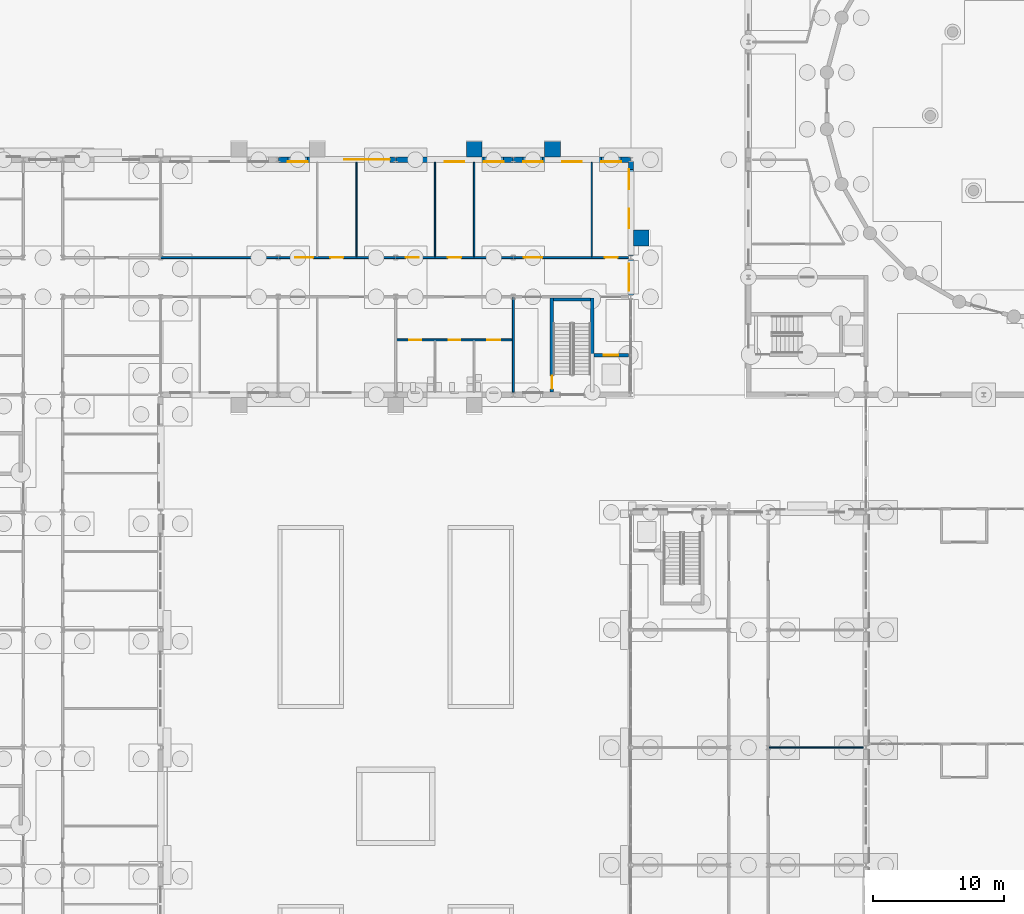
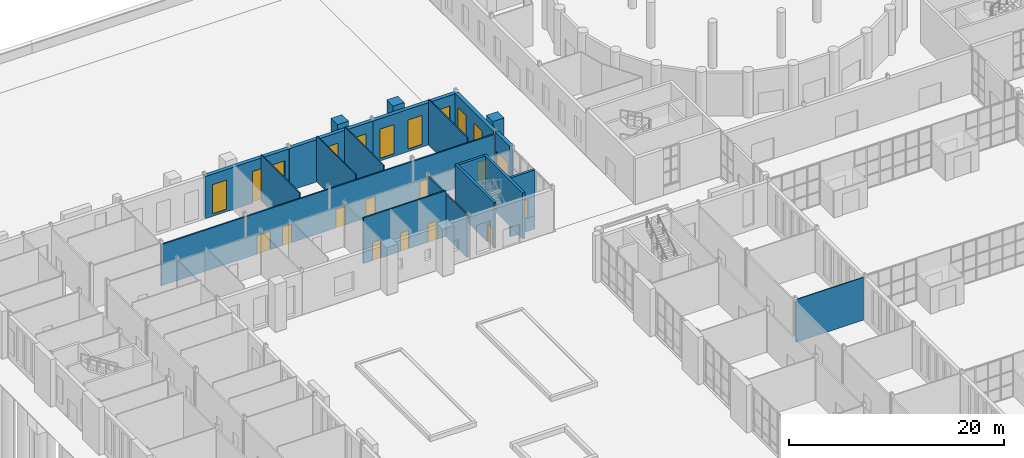
# One storey, part 95 of 168: 21 walls, 12 doors, 9 windows, 21 openings.
"""IFC4 building model written with IfcOpenShell, lengths in metres."""

from ifc_helpers import new_model, si_unit, direction, frame, frame_2d, origin, place, context, subcontext, project, spatial, rectangle, extrude, material, layer, layer_set, type_object, element, fill, save


model = new_model("IFC4")

# Units and contexts
model_context = context("Model", 3, precision=1e-05, world=origin(), true_north=direction((0.0, 1.0)))
body_context = subcontext(model_context, "Body", "Model", "MODEL_VIEW")
ifc_project = project(units=[si_unit("LENGTHUNIT", "METRE"), si_unit("AREAUNIT", "SQUARE_METRE"), si_unit("VOLUMEUNIT", "CUBIC_METRE"), si_unit("PLANEANGLEUNIT", "RADIAN"), si_unit("MASSUNIT", "GRAM", prefix="KILO")], contexts=[model_context])

# Site, building, storey
site_placement = place(None, origin())
site = spatial("IfcSite", under=ifc_project, at=site_placement, CompositionType="ELEMENT")
building_placement = place(site_placement, origin())
building = spatial("IfcBuilding", under=site, at=building_placement, Name="Golden Quay Civic Hall", CompositionType="ELEMENT")
storey_placement = place(building_placement, origin())
storey = spatial("IfcBuildingStorey", under=building, at=storey_placement, Name="L00", CompositionType="ELEMENT", Elevation=0.0)

# Wall, openings, door, window
ifc_material_1 = material(Name="Brick, dark clay facing", Category="masonry")
ifc_layer_1 = layer(ifc_material_1, 0.39990234375)
ifc_layer_set_1 = layer_set([ifc_layer_1], Name="Brick external wall 400")
wall_type_1 = type_object("IfcWallType", Name="Brick external wall 400", PredefinedType="STANDARD", material=ifc_layer_set_1)
wall_1_placement = place(storey_placement, frame((27.010498046875, 81.0, 0.0), z_axis=(0.0, 0.0, 1.0), x_axis=(1.0, 0.0, 0.0)))
wall_1 = element("IfcWall", 1, at=wall_1_placement, inside=storey, type_object=wall_type_1, Name="Brick external wall 400 L00 3", PredefinedType="STANDARD", context=body_context, shape_type="SweptSolid", body=[
    extrude(rectangle(XDim=8.97900390625, YDim=0.39990234375, at=frame_2d((4.489501953125, 0.0))), origin(), (0.0, 0.0, 1.0), 4.800048828125),
])
opening_1_placement = place(wall_1_placement, frame((5.03955078125, 0.0, 0.0)))
opening_1 = element("IfcOpeningElement", 2, at=opening_1_placement, cuts=wall_1, Name="Opening L00-D005", PredefinedType="OPENING", context=body_context, shape_type="SweptSolid", body=[
    extrude(rectangle(XDim=3.5, YDim=3.60009765625, at=frame_2d((1.75, 1.800048828125))), frame((0.0, 0.2099609375, 0.0), z_axis=(0.0, -1.0, 0.0), x_axis=(1.0, 0.0, 0.0)), (0.0, 0.0, 1.0), 0.419921875),
])
opening_2_placement = place(wall_1_placement, frame((0.739501953125, 0.0, 0.300048828125)))
opening_2 = element("IfcOpeningElement", 3, at=opening_2_placement, cuts=wall_1, Name="Opening WN4", PredefinedType="OPENING", context=body_context, shape_type="SweptSolid", body=[
    extrude(rectangle(XDim=1.5, YDim=3.300048828125, at=frame_2d((0.75, 1.64990234375))), frame((0.0, 0.2099609375, 0.0), z_axis=(0.0, -1.0, 0.0), x_axis=(1.0, 0.0, 0.0)), (0.0, 0.0, 1.0), 0.419921875),
])
ifc_material_2 = material(Name="Steel roller shutter, powder coated", Category="steel")
door_type_1 = type_object("IfcDoorType", Name="Roller shutter loading door 3500 x 3600", OperationType="ROLLINGUP", PredefinedType="DOOR", material=ifc_material_2)
door_1_placement = place(opening_1_placement, origin())
door_1 = element("IfcDoor", 4, at=door_1_placement, inside=storey, type_object=door_type_1, Name="Door L00-D005", OperationType="ROLLINGUP", OverallHeight=3.60009765625, OverallWidth=3.5, PredefinedType="DOOR", context=body_context, shape_type="SweptSolid", body=[
    extrude(rectangle(XDim=3.5, YDim=3.60009765625, at=frame_2d((1.75, 1.800048828125))), frame((0.0, 0.02490234375, 0.0), z_axis=(0.0, -1.0, 0.0), x_axis=(1.0, 0.0, 0.0)), (0.0, 0.0, 1.0), 0.050048828125),
])
fill(opening_1, door_1)
ifc_material_3 = material(Name="Aluminium frame, double glazed", Category="aluminium")
window_type_1 = type_object("IfcWindowType", Name="Tall ground-floor window 1500 x 3300", PartitioningType="SINGLE_PANEL", PredefinedType="WINDOW", material=ifc_material_3)
window_1_placement = place(opening_2_placement, origin())
window_1 = element("IfcWindow", 5, at=window_1_placement, inside=storey, type_object=window_type_1, Name="Tall ground-floor window 1500 x 3300 L00 7", OverallHeight=3.300048828125, OverallWidth=1.5, PartitioningType="SINGLE_PANEL", PredefinedType="WINDOW", context=body_context, shape_type="SweptSolid", body=[
    extrude(rectangle(XDim=1.5, YDim=3.300048828125, at=frame_2d((0.75, 1.64990234375))), frame((0.0, -0.119873046875, 0.0), z_axis=(0.0, -1.0, 0.0), x_axis=(1.0, 0.0, 0.0)), (0.0, 0.0, 1.0), 0.06005859375),
])
fill(opening_2, window_1)

# Wall, openings, windows
wall_2_placement = place(storey_placement, frame((36.010498046875, 81.0, 0.0), z_axis=(0.0, 0.0, 1.0), x_axis=(1.0, 0.0, 0.0)))
wall_2 = element("IfcWall", 6, at=wall_2_placement, inside=storey, type_object=wall_type_1, Name="Brick external wall 400 L00 4", PredefinedType="STANDARD", context=body_context, shape_type="SweptSolid", body=[
    extrude(rectangle(XDim=8.97900390625, YDim=0.39990234375, at=frame_2d((4.489501953125, 0.0))), origin(), (0.0, 0.0, 1.0), 4.800048828125),
])
opening_3_placement = place(wall_2_placement, frame((3.739501953125, 0.0, 0.300048828125)))
opening_3 = element("IfcOpeningElement", 7, at=opening_3_placement, cuts=wall_2, Name="Opening WN4", PredefinedType="OPENING", context=body_context, shape_type="SweptSolid", body=[
    extrude(rectangle(XDim=1.5, YDim=3.300048828125, at=frame_2d((0.75, 1.64990234375))), frame((0.0, 0.2099609375, 0.0), z_axis=(0.0, -1.0, 0.0), x_axis=(1.0, 0.0, 0.0)), (0.0, 0.0, 1.0), 0.419921875),
])
opening_4_placement = place(wall_2_placement, frame((6.739501953125, 0.0, 0.300048828125)))
opening_4 = element("IfcOpeningElement", 8, at=opening_4_placement, cuts=wall_2, Name="Opening WN4", PredefinedType="OPENING", context=body_context, shape_type="SweptSolid", body=[
    extrude(rectangle(XDim=1.5, YDim=3.300048828125, at=frame_2d((0.75, 1.64990234375))), frame((0.0, 0.2099609375, 0.0), z_axis=(0.0, -1.0, 0.0), x_axis=(1.0, 0.0, 0.0)), (0.0, 0.0, 1.0), 0.419921875),
])
window_2_placement = place(opening_3_placement, origin())
window_2 = element("IfcWindow", 9, at=window_2_placement, inside=storey, type_object=window_type_1, Name="Tall ground-floor window 1500 x 3300 L00 8", OverallHeight=3.300048828125, OverallWidth=1.5, PartitioningType="SINGLE_PANEL", PredefinedType="WINDOW", context=body_context, shape_type="SweptSolid", body=[
    extrude(rectangle(XDim=1.5, YDim=3.300048828125, at=frame_2d((0.75, 1.64990234375))), frame((0.0, -0.119873046875, 0.0), z_axis=(0.0, -1.0, 0.0), x_axis=(1.0, 0.0, 0.0)), (0.0, 0.0, 1.0), 0.06005859375),
])
fill(opening_3, window_2)
window_3_placement = place(opening_4_placement, origin())
window_3 = element("IfcWindow", 10, at=window_3_placement, inside=storey, type_object=window_type_1, Name="Tall ground-floor window 1500 x 3300 L00 9", OverallHeight=3.300048828125, OverallWidth=1.5, PartitioningType="SINGLE_PANEL", PredefinedType="WINDOW", context=body_context, shape_type="SweptSolid", body=[
    extrude(rectangle(XDim=1.5, YDim=3.300048828125, at=frame_2d((0.75, 1.64990234375))), frame((0.0, -0.119873046875, 0.0), z_axis=(0.0, -1.0, 0.0), x_axis=(1.0, 0.0, 0.0)), (0.0, 0.0, 1.0), 0.06005859375),
])
fill(opening_4, window_3)

wall_3_placement = place(storey_placement, frame((45.010498046875, 81.0, 0.0), z_axis=(0.0, 0.0, 1.0), x_axis=(1.0, 0.0, 0.0)))
wall_3 = element("IfcWall", 11, at=wall_3_placement, inside=storey, type_object=wall_type_1, Name="Brick external wall 400 L00 5", PredefinedType="STANDARD", context=body_context, shape_type="SweptSolid", body=[
    extrude(rectangle(XDim=8.97900390625, YDim=0.39990234375, at=frame_2d((4.489501953125, 0.0))), origin(), (0.0, 0.0, 1.0), 4.800048828125),
])
opening_5_placement = place(wall_3_placement, frame((0.739501953125, 0.0, 0.300048828125)))
opening_5 = element("IfcOpeningElement", 12, at=opening_5_placement, cuts=wall_3, Name="Opening WN4", PredefinedType="OPENING", context=body_context, shape_type="SweptSolid", body=[
    extrude(rectangle(XDim=1.5, YDim=3.300048828125, at=frame_2d((0.75, 1.64990234375))), frame((0.0, 0.2099609375, 0.0), z_axis=(0.0, -1.0, 0.0), x_axis=(1.0, 0.0, 0.0)), (0.0, 0.0, 1.0), 0.419921875),
])
opening_6_placement = place(wall_3_placement, frame((3.739501953125, 0.0, 0.300048828125)))
opening_6 = element("IfcOpeningElement", 13, at=opening_6_placement, cuts=wall_3, Name="Opening WN4", PredefinedType="OPENING", context=body_context, shape_type="SweptSolid", body=[
    extrude(rectangle(XDim=1.5, YDim=3.300048828125, at=frame_2d((0.75, 1.64990234375))), frame((0.0, 0.2099609375, 0.0), z_axis=(0.0, -1.0, 0.0), x_axis=(1.0, 0.0, 0.0)), (0.0, 0.0, 1.0), 0.419921875),
])
opening_7_placement = place(wall_3_placement, frame((6.739501953125, 0.0, 0.300048828125)))
opening_7 = element("IfcOpeningElement", 14, at=opening_7_placement, cuts=wall_3, Name="Opening WN4", PredefinedType="OPENING", context=body_context, shape_type="SweptSolid", body=[
    extrude(rectangle(XDim=1.5, YDim=3.300048828125, at=frame_2d((0.75, 1.64990234375))), frame((0.0, 0.2099609375, 0.0), z_axis=(0.0, -1.0, 0.0), x_axis=(1.0, 0.0, 0.0)), (0.0, 0.0, 1.0), 0.419921875),
])
window_4_placement = place(opening_5_placement, origin())
window_4 = element("IfcWindow", 15, at=window_4_placement, inside=storey, type_object=window_type_1, Name="Tall ground-floor window 1500 x 3300 L00 10", OverallHeight=3.300048828125, OverallWidth=1.5, PartitioningType="SINGLE_PANEL", PredefinedType="WINDOW", context=body_context, shape_type="SweptSolid", body=[
    extrude(rectangle(XDim=1.5, YDim=3.300048828125, at=frame_2d((0.75, 1.64990234375))), frame((0.0, -0.119873046875, 0.0), z_axis=(0.0, -1.0, 0.0), x_axis=(1.0, 0.0, 0.0)), (0.0, 0.0, 1.0), 0.06005859375),
])
fill(opening_5, window_4)
window_5_placement = place(opening_6_placement, origin())
window_5 = element("IfcWindow", 16, at=window_5_placement, inside=storey, type_object=window_type_1, Name="Tall ground-floor window 1500 x 3300 L00 11", OverallHeight=3.300048828125, OverallWidth=1.5, PartitioningType="SINGLE_PANEL", PredefinedType="WINDOW", context=body_context, shape_type="SweptSolid", body=[
    extrude(rectangle(XDim=1.5, YDim=3.300048828125, at=frame_2d((0.75, 1.64990234375))), frame((0.0, -0.119873046875, 0.0), z_axis=(0.0, -1.0, 0.0), x_axis=(1.0, 0.0, 0.0)), (0.0, 0.0, 1.0), 0.06005859375),
])
fill(opening_6, window_5)
window_6_placement = place(opening_7_placement, origin())
window_6 = element("IfcWindow", 17, at=window_6_placement, inside=storey, type_object=window_type_1, Name="Tall ground-floor window 1500 x 3300 L00 12", OverallHeight=3.300048828125, OverallWidth=1.5, PartitioningType="SINGLE_PANEL", PredefinedType="WINDOW", context=body_context, shape_type="SweptSolid", body=[
    extrude(rectangle(XDim=1.5, YDim=3.300048828125, at=frame_2d((0.75, 1.64990234375))), frame((0.0, -0.119873046875, 0.0), z_axis=(0.0, -1.0, 0.0), x_axis=(1.0, 0.0, 0.0)), (0.0, 0.0, 1.0), 0.06005859375),
])
fill(opening_7, window_6)

# Wall, opening, window
wall_4_placement = place(storey_placement, frame((54.0, 73.35009765625, 0.0), z_axis=(0.0, 0.0, 1.0), x_axis=(0.0, -1.0, 0.0)))
wall_4 = element("IfcWall", 18, at=wall_4_placement, inside=storey, type_object=wall_type_1, Name="Brick external wall 400 L00 6", PredefinedType="STANDARD", context=body_context, shape_type="SweptSolid", body=[
    extrude(rectangle(XDim=2.7001953125, YDim=0.39990234375, at=frame_2d((1.35009765625, 0.0))), origin(), (0.0, 0.0, 1.0), 5.0),
])
opening_8_placement = place(wall_4_placement, frame((0.300048828125, 0.0, 0.89990234375)))
opening_8 = element("IfcOpeningElement", 19, at=opening_8_placement, cuts=wall_4, Name="Opening WN2", PredefinedType="OPENING", context=body_context, shape_type="SweptSolid", body=[
    extrude(rectangle(XDim=2.10009765625, YDim=2.10009765625, at=frame_2d((1.050048828125, 1.050048828125))), frame((0.0, 0.2099609375, 0.0), z_axis=(0.0, -1.0, 0.0), x_axis=(1.0, 0.0, 0.0)), (0.0, 0.0, 1.0), 0.419921875),
])
ifc_material_4 = material(Name="Aluminium frame, double glazed", Category="aluminium")
window_type_2 = type_object("IfcWindowType", Name="Corridor end window 2100 x 2100", PartitioningType="SINGLE_PANEL", PredefinedType="WINDOW", material=ifc_material_4)
window_7_placement = place(opening_8_placement, origin())
window_7 = element("IfcWindow", 20, at=window_7_placement, inside=storey, type_object=window_type_2, Name="Corridor end window 2100 x 2100 L00 4", OverallHeight=2.10009765625, OverallWidth=2.10009765625, PartitioningType="SINGLE_PANEL", PredefinedType="WINDOW", context=body_context, shape_type="SweptSolid", body=[
    extrude(rectangle(XDim=2.10009765625, YDim=2.10009765625, at=frame_2d((1.050048828125, 1.050048828125))), frame((0.0, -0.119873046875, 0.0), z_axis=(0.0, -1.0, 0.0), x_axis=(1.0, 0.0, 0.0)), (0.0, 0.0, 1.0), 0.06005859375),
])
fill(opening_8, window_7)

# Wall, openings, windows
wall_5_placement = place(storey_placement, frame((54.0, 80.85009765625, 0.0), z_axis=(0.0, 0.0, 1.0), x_axis=(0.0, -1.0, 0.0)))
wall_5 = element("IfcWall", 21, at=wall_5_placement, inside=storey, type_object=wall_type_1, Name="Brick external wall 400 L00 7", PredefinedType="STANDARD", context=body_context, shape_type="SweptSolid", body=[
    extrude(rectangle(XDim=7.2001953125, YDim=0.39990234375, at=frame_2d((3.60009765625, 0.0))), origin(), (0.0, 0.0, 1.0), 4.8701171875),
])
opening_9_placement = place(wall_5_placement, frame((3.60009765625, 0.0, 0.300048828125)))
opening_9 = element("IfcOpeningElement", 22, at=opening_9_placement, cuts=wall_5, Name="Opening WN4", PredefinedType="OPENING", context=body_context, shape_type="SweptSolid", body=[
    extrude(rectangle(XDim=1.5, YDim=3.300048828125, at=frame_2d((0.75, 1.64990234375))), frame((0.0, 0.2099609375, 0.0), z_axis=(0.0, -1.0, 0.0), x_axis=(1.0, 0.0, 0.0)), (0.0, 0.0, 1.0), 0.419921875),
])
opening_10_placement = place(wall_5_placement, frame((0.60009765625, 0.0, 0.300048828125)))
opening_10 = element("IfcOpeningElement", 23, at=opening_10_placement, cuts=wall_5, Name="Opening WN4", PredefinedType="OPENING", context=body_context, shape_type="SweptSolid", body=[
    extrude(rectangle(XDim=1.5, YDim=3.300048828125, at=frame_2d((0.75, 1.64990234375))), frame((0.0, 0.2099609375, 0.0), z_axis=(0.0, -1.0, 0.0), x_axis=(1.0, 0.0, 0.0)), (0.0, 0.0, 1.0), 0.419921875),
])
window_8_placement = place(opening_9_placement, origin())
window_8 = element("IfcWindow", 24, at=window_8_placement, inside=storey, type_object=window_type_1, Name="Tall ground-floor window 1500 x 3300 L00 13", OverallHeight=3.300048828125, OverallWidth=1.5, PartitioningType="SINGLE_PANEL", PredefinedType="WINDOW", context=body_context, shape_type="SweptSolid", body=[
    extrude(rectangle(XDim=1.5, YDim=3.300048828125, at=frame_2d((0.75, 1.64990234375))), frame((0.0, -0.119873046875, 0.0), z_axis=(0.0, -1.0, 0.0), x_axis=(1.0, 0.0, 0.0)), (0.0, 0.0, 1.0), 0.06005859375),
])
fill(opening_9, window_8)
window_9_placement = place(opening_10_placement, origin())
window_9 = element("IfcWindow", 25, at=window_9_placement, inside=storey, type_object=window_type_1, Name="Tall ground-floor window 1500 x 3300 L00 14", OverallHeight=3.300048828125, OverallWidth=1.5, PartitioningType="SINGLE_PANEL", PredefinedType="WINDOW", context=body_context, shape_type="SweptSolid", body=[
    extrude(rectangle(XDim=1.5, YDim=3.300048828125, at=frame_2d((0.75, 1.64990234375))), frame((0.0, -0.119873046875, 0.0), z_axis=(0.0, -1.0, 0.0), x_axis=(1.0, 0.0, 0.0)), (0.0, 0.0, 1.0), 0.06005859375),
])
fill(opening_10, window_9)

# Walls
ifc_material_5 = material(Name="Brick, dark clay facing", Category="masonry")
ifc_layer_2 = layer(ifc_material_5, 1.199951171875)
ifc_layer_set_2 = layer_set([ifc_layer_2], Name="Brick pilaster 1200 x 1200")
wall_type_2 = type_object("IfcWallType", Name="Brick pilaster 1200 x 1200", PredefinedType="STANDARD", material=ifc_layer_set_2)
for number, where, z_axis, x_axis, name in (
    (26, (41.39990234375, 81.800048828125, 0.0), (0.0, 0.0, 1.0), (1.0, 0.0, 0.0), "Brick pilaster 1200 x 1200 L00 3"),
    (27, (47.39990234375, 81.800048828125, 0.0), (0.0, 0.0, 1.0), (1.0, 0.0, 0.0), "Brick pilaster 1200 x 1200 L00 4"),
    (28, (54.800048828125, 74.39990234375, 0.0), (0.0, 0.0, 1.0), (0.0, 1.0, 0.0), "Brick pilaster 1200 x 1200 L00 5"),
):
    element("IfcWall", number, at=place(storey_placement, frame(where, z_axis=z_axis, x_axis=x_axis)), inside=storey, type_object=wall_type_2, Name=name, PredefinedType="STANDARD", context=body_context, shape_type="SweptSolid", body=[
        extrude(rectangle(XDim=1.2001953125, YDim=1.199951171875, at=frame_2d((0.60009765625, 0.0))), origin(), (0.0, 0.0, 1.0), 5.39990234375),
    ])

# Wall, opening, door
ifc_material_6 = material(Name="Concrete C40/50", Category="concrete")
ifc_layer_3 = layer(ifc_material_6, 0.25)
ifc_layer_set_3 = layer_set([ifc_layer_3], Name="Concrete core wall 250, Concrete C40/50")
wall_type_3 = type_object("IfcWallType", Name="Concrete core wall 250", PredefinedType="SHEAR", material=ifc_layer_set_3)
wall_6_placement = place(storey_placement, frame((47.949951171875, 63.199951171875, 0.0), z_axis=(0.0, 0.0, 1.0), x_axis=(0.0, 1.0, 0.0)))
wall_6 = element("IfcWall", 29, at=wall_6_placement, inside=storey, type_object=wall_type_3, Name="Core wall NW-E-W1", PredefinedType="SHEAR", context=body_context, shape_type="SweptSolid", body=[
    extrude(rectangle(XDim=7.22509765625, YDim=0.25, at=frame_2d((3.612548828125, 0.0))), origin(), (0.0, 0.0, 1.0), 5.199951171875),
])
opening_11_placement = place(wall_6_placement, frame((0.25, 0.0, 0.0)))
opening_11 = element("IfcOpeningElement", 30, at=opening_11_placement, cuts=wall_6, Name="Opening L00-D105", PredefinedType="OPENING", context=body_context, shape_type="SweptSolid", body=[
    extrude(rectangle(XDim=1.0, YDim=2.10009765625, at=frame_2d((0.5, 1.050048828125))), frame((0.0, 0.135009765625, 0.0), z_axis=(0.0, -1.0, 0.0), x_axis=(1.0, 0.0, 0.0)), (0.0, 0.0, 1.0), 0.27001953125),
])
ifc_material_7 = material(Name="Steel", Category="steel")
door_type_2 = type_object("IfcDoorType", Name="Steel fire door FD60 1000 x 2100", OperationType="SINGLE_SWING_LEFT", PredefinedType="DOOR", material=ifc_material_7)
door_2_placement = place(opening_11_placement, frame((1.0, 0.0, 0.0), z_axis=(0.0, 0.0, 1.0), x_axis=(-1.0, 0.0, 0.0)))
door_2 = element("IfcDoor", 31, at=door_2_placement, inside=storey, type_object=door_type_2, Name="Door L00-D105", OperationType="SINGLE_SWING_RIGHT", OverallHeight=2.10009765625, OverallWidth=1.0, PredefinedType="DOOR", context=body_context, shape_type="SweptSolid", body=[
    extrude(rectangle(XDim=1.0, YDim=2.10009765625, at=frame_2d((0.5, 1.050048828125))), frame((0.0, 0.025146484375, 0.0), z_axis=(0.0, -1.0, 0.0), x_axis=(1.0, 0.0, 0.0)), (0.0, 0.0, 1.0), 0.050048828125),
])
fill(opening_11, door_2)

# Walls
wall_7_placement = place(storey_placement, frame((51.050048828125, 63.199951171875, 0.0), z_axis=(0.0, 0.0, 1.0), x_axis=(0.0, 1.0, 0.0)))
element("IfcWall", 32, at=wall_7_placement, inside=storey, type_object=wall_type_3, Name="Core wall NW-E-W2", PredefinedType="SHEAR", context=body_context, shape_type="SweptSolid", body=[
    extrude(rectangle(XDim=7.22509765625, YDim=0.25, at=frame_2d((3.612548828125, 0.0))), origin(), (0.0, 0.0, 1.0), 5.199951171875),
])
wall_8_placement = place(storey_placement, frame((48.074951171875, 70.300048828125, 0.0), z_axis=(0.0, 0.0, 1.0), x_axis=(1.0, 0.0, 0.0)))
element("IfcWall", 33, at=wall_8_placement, inside=storey, type_object=wall_type_3, Name="Core wall NW-E-W3", PredefinedType="SHEAR", context=body_context, shape_type="SweptSolid", body=[
    extrude(rectangle(XDim=2.85009765625, YDim=0.25, at=frame_2d((1.425048828125, 0.0))), origin(), (0.0, 0.0, 1.0), 5.199951171875),
])

# Wall, opening, door
wall_9_placement = place(storey_placement, frame((51.175048828125, 66.02490234375, 0.0), z_axis=(0.0, 0.0, 1.0), x_axis=(1.0, 0.0, 0.0)))
wall_9 = element("IfcWall", 34, at=wall_9_placement, inside=storey, type_object=wall_type_3, Name="Core wall NW-E-W4", PredefinedType="SHEAR", context=body_context, shape_type="SweptSolid", body=[
    extrude(rectangle(XDim=2.625, YDim=0.25, at=frame_2d((1.3125, 0.0))), origin(), (0.0, 0.0, 1.0), 5.199951171875),
])
opening_12_placement = place(wall_9_placement, frame((0.762451171875, 0.0, 0.0)))
opening_12 = element("IfcOpeningElement", 35, at=opening_12_placement, cuts=wall_9, Name="Opening L00-D108", PredefinedType="OPENING", context=body_context, shape_type="SweptSolid", body=[
    extrude(rectangle(XDim=1.10009765625, YDim=2.10009765625, at=frame_2d((0.550048828125, 1.050048828125))), frame((0.0, 0.135009765625, 0.0), z_axis=(0.0, -1.0, 0.0), x_axis=(1.0, 0.0, 0.0)), (0.0, 0.0, 1.0), 0.27001953125),
])
ifc_material_8 = material(Name="Steel", Category="steel")
door_type_3 = type_object("IfcDoorType", Name="Lift landing door 1100 x 2100", OperationType="SLIDING_TO_LEFT", PredefinedType="DOOR", material=ifc_material_8)
door_3_placement = place(opening_12_placement, origin())
door_3 = element("IfcDoor", 36, at=door_3_placement, inside=storey, type_object=door_type_3, Name="Lift landing door L00-D108 NW-E", OperationType="SLIDING_TO_LEFT", OverallHeight=2.10009765625, OverallWidth=1.10009765625, PredefinedType="DOOR", context=body_context, shape_type="SweptSolid", body=[
    extrude(rectangle(XDim=1.10009765625, YDim=2.10009765625, at=frame_2d((0.550048828125, 1.050048828125))), frame((0.0, 0.02490234375, 0.0), z_axis=(0.0, -1.0, 0.0), x_axis=(1.0, 0.0, 0.0)), (0.0, 0.0, 1.0), 0.050048828125),
])
fill(opening_12, door_3)

# Walls
wall_10_placement = place(storey_placement, frame((51.175048828125, 66.02490234375, -1.5), z_axis=(0.0, 0.0, 1.0), x_axis=(1.0, 0.0, 0.0)))
element("IfcWall", 37, at=wall_10_placement, inside=storey, type_object=wall_type_3, Name="Lift pit wall P2", PredefinedType="SHEAR", context=body_context, shape_type="SweptSolid", body=[
    extrude(rectangle(XDim=2.625, YDim=0.25, at=frame_2d((1.3125, 0.0))), origin(), (0.0, 0.0, 1.0), 1.5),
])
ifc_material_9 = material(Name="Plasterboard on steel studs", Category="steel")
ifc_layer_4 = layer(ifc_material_9, 0.10009765625)
ifc_layer_set_4 = layer_set([ifc_layer_4], Name="Partition 100 stud")
wall_type_4 = type_object("IfcWallType", Name="Partition 100 stud", PredefinedType="PARTITIONING", material=ifc_layer_set_4)
for number, where, z_axis, x_axis, name in (
    (38, (33.0, 73.574951171875, 0.0), (0.0, 0.0, 1.0), (0.0, 1.0, 0.0), "Partition L00-005"),
    (39, (39.0, 73.574951171875, 0.0), (0.0, 0.0, 1.0), (0.0, 1.0, 0.0), "Partition L00-006"),
    (40, (42.0, 73.574951171875, 0.0), (0.0, 0.0, 1.0), (0.0, 1.0, 0.0), "Partition L00-007"),
    (41, (51.0, 73.574951171875, 0.0), (0.0, 0.0, 1.0), (0.0, 1.0, 0.0), "Partition L00-008"),
):
    element("IfcWall", number, at=place(storey_placement, frame(where, z_axis=z_axis, x_axis=x_axis)), inside=storey, type_object=wall_type_4, Name=name, PredefinedType="PARTITIONING", context=body_context, shape_type="SweptSolid", body=[
        extrude(rectangle(XDim=7.22509765625, YDim=0.10009765625, at=frame_2d((3.612548828125, 0.0))), origin(), (0.0, 0.0, 1.0), 5.199951171875),
    ])
wall_11_placement = place(storey_placement, frame((64.574951171875, 36.0, 0.0), z_axis=(0.0, 0.0, 1.0), x_axis=(1.0, 0.0, 0.0)))
element("IfcWall", 42, at=wall_11_placement, inside=storey, type_object=wall_type_4, Name="Partition L00-007", PredefinedType="PARTITIONING", context=body_context, shape_type="SweptSolid", body=[
    extrude(rectangle(XDim=7.22509765625, YDim=0.10009765625, at=frame_2d((3.612548828125, 0.0))), origin(), (0.0, 0.0, 1.0), 4.85009765625),
])
ifc_material_10 = material(Name="Plasterboard on steel studs", Category="steel")
ifc_layer_5 = layer(ifc_material_10, 0.14990234375)
ifc_layer_set_5 = layer_set([ifc_layer_5], Name="Partition 150 stud fire EI 60")
wall_type_5 = type_object("IfcWallType", Name="Partition 150 stud fire EI 60", PredefinedType="PARTITIONING", material=ifc_layer_set_5)
wall_12_placement = place(storey_placement, frame((45.0, 63.199951171875, 0.0), z_axis=(0.0, 0.0, 1.0), x_axis=(0.0, 1.0, 0.0)))
element("IfcWall", 43, at=wall_12_placement, inside=storey, type_object=wall_type_5, Name="Partition L00-009", PredefinedType="PARTITIONING", context=body_context, shape_type="SweptSolid", body=[
    extrude(rectangle(XDim=7.22509765625, YDim=0.14990234375, at=frame_2d((3.612548828125, 0.0))), origin(), (0.0, 0.0, 1.0), 4.85009765625),
])

# Wall, openings, doors
wall_13_placement = place(storey_placement, frame((18.0, 73.5, 0.0), z_axis=(0.0, 0.0, 1.0), x_axis=(1.0, 0.0, 0.0)))
wall_13 = element("IfcWall", 44, at=wall_13_placement, inside=storey, type_object=wall_type_5, Name="Partition L00-011", PredefinedType="PARTITIONING", context=body_context, shape_type="SweptSolid", body=[
    extrude(rectangle(XDim=35.800048828125, YDim=0.14990234375, at=frame_2d((17.89990234375, 0.0))), origin(), (0.0, 0.0, 1.0), 4.679931640625),
])
opening_13_placement = place(wall_13_placement, frame((10.300048828125, 0.0, 0.0)))
opening_13 = element("IfcOpeningElement", 45, at=opening_13_placement, cuts=wall_13, Name="Opening L00-D095", PredefinedType="OPENING", context=body_context, shape_type="SweptSolid", body=[
    extrude(rectangle(XDim=1.39990234375, YDim=2.10009765625, at=frame_2d((0.699951171875, 1.050048828125))), frame((0.0, 0.0849609375, 0.0), z_axis=(0.0, -1.0, 0.0), x_axis=(1.0, 0.0, 0.0)), (0.0, 0.0, 1.0), 0.169921875),
])
opening_14_placement = place(wall_13_placement, frame((13.0, 0.0, 0.0)))
opening_14 = element("IfcOpeningElement", 46, at=opening_14_placement, cuts=wall_13, Name="Opening L00-D096", PredefinedType="OPENING", context=body_context, shape_type="SweptSolid", body=[
    extrude(rectangle(XDim=1.0, YDim=2.10009765625, at=frame_2d((0.5, 1.050048828125))), frame((0.0, 0.0849609375, 0.0), z_axis=(0.0, -1.0, 0.0), x_axis=(1.0, 0.0, 0.0)), (0.0, 0.0, 1.0), 0.169921875),
])
opening_15_placement = place(wall_13_placement, frame((18.75, 0.0, 0.0)))
opening_15 = element("IfcOpeningElement", 47, at=opening_15_placement, cuts=wall_13, Name="Opening L00-D097", PredefinedType="OPENING", context=body_context, shape_type="SweptSolid", body=[
    extrude(rectangle(XDim=1.0, YDim=2.10009765625, at=frame_2d((0.5, 1.050048828125))), frame((0.0, 0.0849609375, 0.0), z_axis=(0.0, -1.0, 0.0), x_axis=(1.0, 0.0, 0.0)), (0.0, 0.0, 1.0), 0.169921875),
])
opening_16_placement = place(wall_13_placement, frame((22.0, 0.0, 0.0)))
opening_16 = element("IfcOpeningElement", 48, at=opening_16_placement, cuts=wall_13, Name="Opening L00-D098", PredefinedType="OPENING", context=body_context, shape_type="SweptSolid", body=[
    extrude(rectangle(XDim=1.0, YDim=2.10009765625, at=frame_2d((0.5, 1.050048828125))), frame((0.0, 0.0849609375, 0.0), z_axis=(0.0, -1.0, 0.0), x_axis=(1.0, 0.0, 0.0)), (0.0, 0.0, 1.0), 0.169921875),
])
opening_17_placement = place(wall_13_placement, frame((27.800048828125, 0.0, 0.0)))
opening_17 = element("IfcOpeningElement", 49, at=opening_17_placement, cuts=wall_13, Name="Opening L00-D099", PredefinedType="OPENING", context=body_context, shape_type="SweptSolid", body=[
    extrude(rectangle(XDim=1.39990234375, YDim=2.10009765625, at=frame_2d((0.699951171875, 1.050048828125))), frame((0.0, 0.0849609375, 0.0), z_axis=(0.0, -1.0, 0.0), x_axis=(1.0, 0.0, 0.0)), (0.0, 0.0, 1.0), 0.169921875),
])
opening_18_placement = place(wall_13_placement, frame((34.0, 0.0, 0.0)))
opening_18 = element("IfcOpeningElement", 50, at=opening_18_placement, cuts=wall_13, Name="Opening L00-D100", PredefinedType="OPENING", context=body_context, shape_type="SweptSolid", body=[
    extrude(rectangle(XDim=1.0, YDim=2.10009765625, at=frame_2d((0.5, 1.050048828125))), frame((0.0, 0.0849609375, 0.0), z_axis=(0.0, -1.0, 0.0), x_axis=(1.0, 0.0, 0.0)), (0.0, 0.0, 1.0), 0.169921875),
])
ifc_material_11 = material(Name="Steel", Category="steel")
door_type_4 = type_object("IfcDoorType", Name="Steel double fire door FD30S 1400 x 2100", OperationType="DOUBLE_DOOR_SINGLE_SWING", PredefinedType="DOOR", material=ifc_material_11)
door_4_placement = place(opening_13_placement, origin())
door_4 = element("IfcDoor", 51, at=door_4_placement, inside=storey, type_object=door_type_4, Name="Door L00-D095", OperationType="DOUBLE_DOOR_SINGLE_SWING", OverallHeight=2.10009765625, OverallWidth=1.39990234375, PredefinedType="DOOR", context=body_context, shape_type="SweptSolid", body=[
    extrude(rectangle(XDim=1.39990234375, YDim=2.10009765625, at=frame_2d((0.699951171875, 1.050048828125))), frame((0.0, 0.02490234375, 0.0), z_axis=(0.0, -1.0, 0.0), x_axis=(1.0, 0.0, 0.0)), (0.0, 0.0, 1.0), 0.050048828125),
])
fill(opening_13, door_4)
door_5_placement = place(opening_17_placement, origin())
door_5 = element("IfcDoor", 52, at=door_5_placement, inside=storey, type_object=door_type_4, Name="Door L00-D099", OperationType="DOUBLE_DOOR_SINGLE_SWING", OverallHeight=2.10009765625, OverallWidth=1.39990234375, PredefinedType="DOOR", context=body_context, shape_type="SweptSolid", body=[
    extrude(rectangle(XDim=1.39990234375, YDim=2.10009765625, at=frame_2d((0.699951171875, 1.050048828125))), frame((0.0, 0.02490234375, 0.0), z_axis=(0.0, -1.0, 0.0), x_axis=(1.0, 0.0, 0.0)), (0.0, 0.0, 1.0), 0.050048828125),
])
fill(opening_17, door_5)
ifc_material_12 = material(Name="Steel", Category="steel")
door_type_5 = type_object("IfcDoorType", Name="Steel fire door FD30S 1000 x 2100", OperationType="SINGLE_SWING_LEFT", PredefinedType="DOOR", material=ifc_material_12)
door_6_placement = place(opening_14_placement, origin())
door_6 = element("IfcDoor", 53, at=door_6_placement, inside=storey, type_object=door_type_5, Name="Door L00-D096", OperationType="SINGLE_SWING_LEFT", OverallHeight=2.10009765625, OverallWidth=1.0, PredefinedType="DOOR", context=body_context, shape_type="SweptSolid", body=[
    extrude(rectangle(XDim=1.0, YDim=2.10009765625, at=frame_2d((0.5, 1.050048828125))), frame((0.0, 0.02490234375, 0.0), z_axis=(0.0, -1.0, 0.0), x_axis=(1.0, 0.0, 0.0)), (0.0, 0.0, 1.0), 0.050048828125),
])
fill(opening_14, door_6)
door_7_placement = place(opening_15_placement, origin())
door_7 = element("IfcDoor", 54, at=door_7_placement, inside=storey, type_object=door_type_5, Name="Door L00-D097", OperationType="SINGLE_SWING_LEFT", OverallHeight=2.10009765625, OverallWidth=1.0, PredefinedType="DOOR", context=body_context, shape_type="SweptSolid", body=[
    extrude(rectangle(XDim=1.0, YDim=2.10009765625, at=frame_2d((0.5, 1.050048828125))), frame((0.0, 0.02490234375, 0.0), z_axis=(0.0, -1.0, 0.0), x_axis=(1.0, 0.0, 0.0)), (0.0, 0.0, 1.0), 0.050048828125),
])
fill(opening_15, door_7)
door_8_placement = place(opening_16_placement, origin())
door_8 = element("IfcDoor", 55, at=door_8_placement, inside=storey, type_object=door_type_5, Name="Door L00-D098", OperationType="SINGLE_SWING_LEFT", OverallHeight=2.10009765625, OverallWidth=1.0, PredefinedType="DOOR", context=body_context, shape_type="SweptSolid", body=[
    extrude(rectangle(XDim=1.0, YDim=2.10009765625, at=frame_2d((0.5, 1.050048828125))), frame((0.0, 0.02490234375, 0.0), z_axis=(0.0, -1.0, 0.0), x_axis=(1.0, 0.0, 0.0)), (0.0, 0.0, 1.0), 0.050048828125),
])
fill(opening_16, door_8)
door_9_placement = place(opening_18_placement, origin())
door_9 = element("IfcDoor", 56, at=door_9_placement, inside=storey, type_object=door_type_5, Name="Door L00-D100", OperationType="SINGLE_SWING_LEFT", OverallHeight=2.10009765625, OverallWidth=1.0, PredefinedType="DOOR", context=body_context, shape_type="SweptSolid", body=[
    extrude(rectangle(XDim=1.0, YDim=2.10009765625, at=frame_2d((0.5, 1.050048828125))), frame((0.0, 0.02490234375, 0.0), z_axis=(0.0, -1.0, 0.0), x_axis=(1.0, 0.0, 0.0)), (0.0, 0.0, 1.0), 0.050048828125),
])
fill(opening_18, door_9)

wall_14_placement = place(storey_placement, frame((36.074951171875, 67.199951171875, 0.0), z_axis=(0.0, 0.0, 1.0), x_axis=(1.0, 0.0, 0.0)))
wall_14 = element("IfcWall", 57, at=wall_14_placement, inside=storey, type_object=wall_type_5, Name="Partition L00-012", PredefinedType="PARTITIONING", context=body_context, shape_type="SweptSolid", body=[
    extrude(rectangle(XDim=8.85009765625, YDim=0.14990234375, at=frame_2d((4.425048828125, 0.0))), origin(), (0.0, 0.0, 1.0), 5.199951171875),
])
opening_19_placement = place(wall_14_placement, frame((0.97509765625, 0.0, 0.0)))
opening_19 = element("IfcOpeningElement", 58, at=opening_19_placement, cuts=wall_14, Name="Opening L00-D102", PredefinedType="OPENING", context=body_context, shape_type="SweptSolid", body=[
    extrude(rectangle(XDim=0.89990234375, YDim=2.10009765625, at=frame_2d((0.449951171875, 1.050048828125))), frame((0.0, 0.0849609375, 0.0), z_axis=(0.0, -1.0, 0.0), x_axis=(1.0, 0.0, 0.0)), (0.0, 0.0, 1.0), 0.169921875),
])
opening_20_placement = place(wall_14_placement, frame((3.97509765625, 0.0, 0.0)))
opening_20 = element("IfcOpeningElement", 59, at=opening_20_placement, cuts=wall_14, Name="Opening L00-D103", PredefinedType="OPENING", context=body_context, shape_type="SweptSolid", body=[
    extrude(rectangle(XDim=0.89990234375, YDim=2.10009765625, at=frame_2d((0.449951171875, 1.050048828125))), frame((0.0, 0.0849609375, 0.0), z_axis=(0.0, -1.0, 0.0), x_axis=(1.0, 0.0, 0.0)), (0.0, 0.0, 1.0), 0.169921875),
])
opening_21_placement = place(wall_14_placement, frame((6.925048828125, 0.0, 0.0)))
opening_21 = element("IfcOpeningElement", 60, at=opening_21_placement, cuts=wall_14, Name="Opening L00-D104", PredefinedType="OPENING", context=body_context, shape_type="SweptSolid", body=[
    extrude(rectangle(XDim=1.0, YDim=2.10009765625, at=frame_2d((0.5, 1.050048828125))), frame((0.0, 0.0849609375, 0.0), z_axis=(0.0, -1.0, 0.0), x_axis=(1.0, 0.0, 0.0)), (0.0, 0.0, 1.0), 0.169921875),
])
ifc_material_13 = material(Name="Timber", Category="wood")
door_type_6 = type_object("IfcDoorType", Name="Timber door 1000 x 2100", OperationType="SINGLE_SWING_LEFT", PredefinedType="DOOR", material=ifc_material_13)
door_10_placement = place(opening_21_placement, frame((1.0, 0.0, 0.0), z_axis=(0.0, 0.0, 1.0), x_axis=(-1.0, 0.0, 0.0)))
door_10 = element("IfcDoor", 61, at=door_10_placement, inside=storey, type_object=door_type_6, Name="Door L00-D104", OperationType="SINGLE_SWING_RIGHT", OverallHeight=2.10009765625, OverallWidth=1.0, PredefinedType="DOOR", context=body_context, shape_type="SweptSolid", body=[
    extrude(rectangle(XDim=1.0, YDim=2.10009765625, at=frame_2d((0.5, 1.050048828125))), frame((0.0, 0.025146484375, 0.0), z_axis=(0.0, -1.0, 0.0), x_axis=(1.0, 0.0, 0.0)), (0.0, 0.0, 1.0), 0.050048828125),
])
fill(opening_21, door_10)
ifc_material_14 = material(Name="Timber", Category="wood")
door_type_7 = type_object("IfcDoorType", Name="Timber door 900 x 2100", OperationType="SINGLE_SWING_LEFT", PredefinedType="DOOR", material=ifc_material_14)
door_11_placement = place(opening_19_placement, frame((0.89990234375, 0.0, 0.0), z_axis=(0.0, 0.0, 1.0), x_axis=(-1.0, 0.0, 0.0)))
door_11 = element("IfcDoor", 62, at=door_11_placement, inside=storey, type_object=door_type_7, Name="Door L00-D102", OperationType="SINGLE_SWING_RIGHT", OverallHeight=2.10009765625, OverallWidth=0.89990234375, PredefinedType="DOOR", context=body_context, shape_type="SweptSolid", body=[
    extrude(rectangle(XDim=0.89990234375, YDim=2.10009765625, at=frame_2d((0.449951171875, 1.050048828125))), frame((0.0, 0.025146484375, 0.0), z_axis=(0.0, -1.0, 0.0), x_axis=(1.0, 0.0, 0.0)), (0.0, 0.0, 1.0), 0.050048828125),
])
fill(opening_19, door_11)
door_12_placement = place(opening_20_placement, frame((0.89990234375, 0.0, 0.0), z_axis=(0.0, 0.0, 1.0), x_axis=(-1.0, 0.0, 0.0)))
door_12 = element("IfcDoor", 63, at=door_12_placement, inside=storey, type_object=door_type_7, Name="Door L00-D103", OperationType="SINGLE_SWING_RIGHT", OverallHeight=2.10009765625, OverallWidth=0.89990234375, PredefinedType="DOOR", context=body_context, shape_type="SweptSolid", body=[
    extrude(rectangle(XDim=0.89990234375, YDim=2.10009765625, at=frame_2d((0.449951171875, 1.050048828125))), frame((0.0, 0.025146484375, 0.0), z_axis=(0.0, -1.0, 0.0), x_axis=(1.0, 0.0, 0.0)), (0.0, 0.0, 1.0), 0.050048828125),
])
fill(opening_20, door_12)

save(model, "model.ifc")
